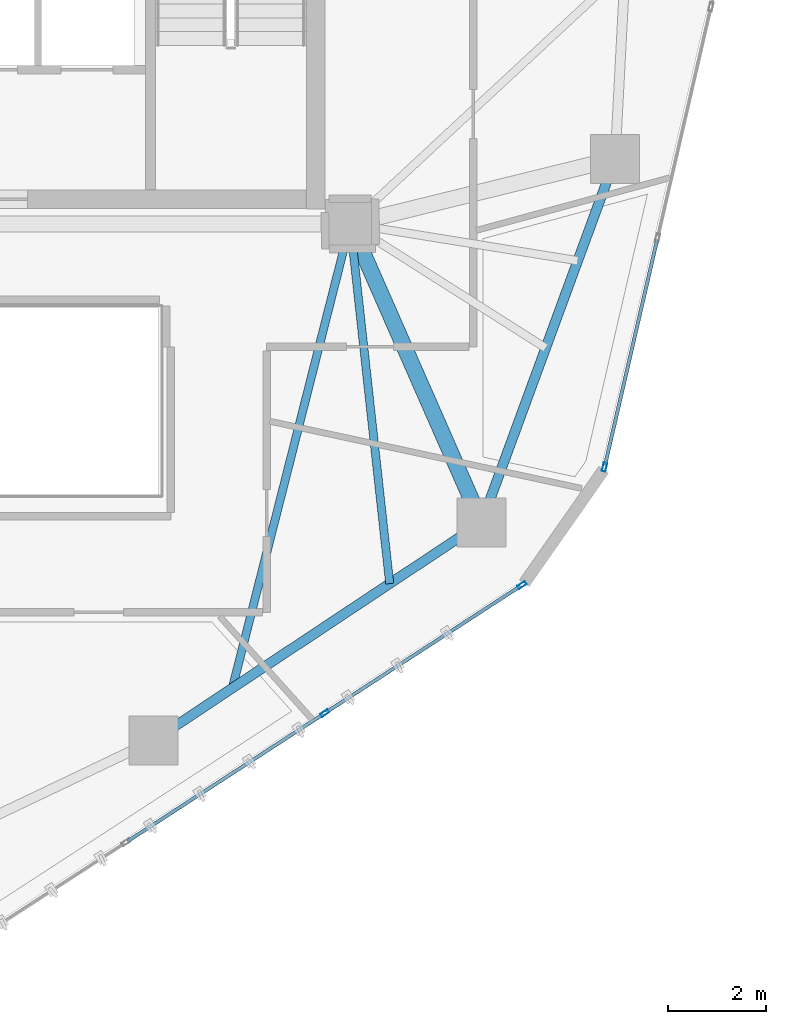
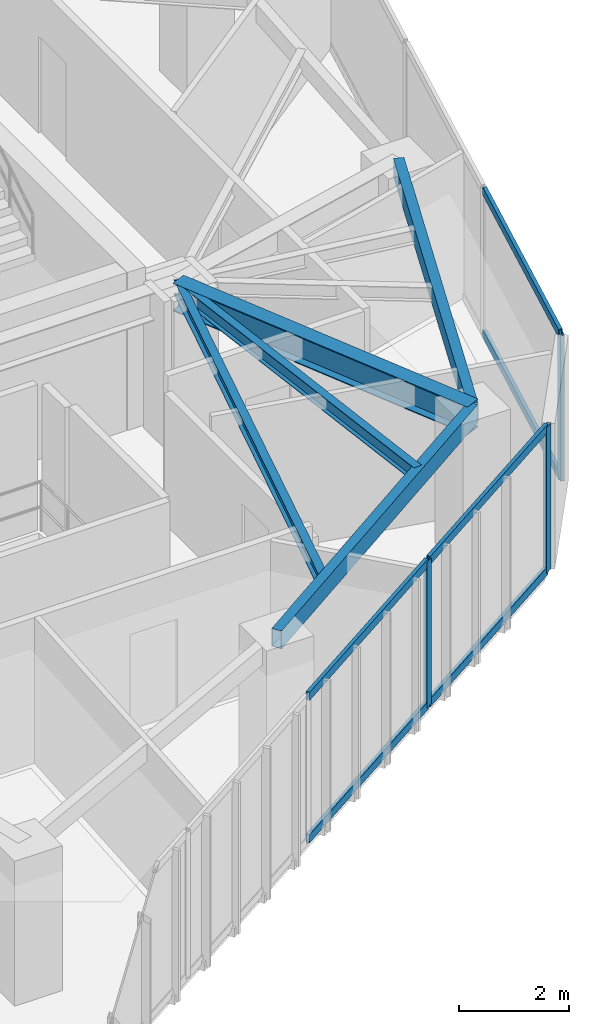
# One storey, part 5 of 18: 9 members, 5 beams, 2 elements without a shape of their own.
"""IFC4 building model written with IfcOpenShell, lengths in metres."""

from ifc_helpers import new_model, si_unit, direction, frame, origin, origin_2d, place, context, subcontext, project, spatial, hollow_rectangle, i_section, extrude, source, transform, mapped, material, layer, layer_set, material_profile, profile_set, type_object, type_shapes, element, aggregate, save


model = new_model("IFC4")

# Units and contexts
model_context = context("Model", 3, precision=1e-05, world=origin(), true_north=direction((0.0, 1.0)))
body_context = subcontext(model_context, "Body", "Model", "MODEL_VIEW")
ifc_project = project(units=[si_unit("LENGTHUNIT", "METRE"), si_unit("AREAUNIT", "SQUARE_METRE"), si_unit("VOLUMEUNIT", "CUBIC_METRE"), si_unit("PLANEANGLEUNIT", "RADIAN"), si_unit("MASSUNIT", "GRAM", prefix="KILO")], contexts=[model_context])

# Site, building, storey
site_placement = place(None, origin())
site = spatial("IfcSite", under=ifc_project, at=site_placement, CompositionType="ELEMENT")
building_placement = place(site_placement, origin())
building = spatial("IfcBuilding", under=site, at=building_placement, Name="Talar Marvaseh", CompositionType="ELEMENT")
storey_placement = place(building_placement, frame((0.0, 0.0, 188.0)))
storey = spatial("IfcBuildingStorey", under=building, at=storey_placement, Name="L49", CompositionType="ELEMENT", Elevation=188.0)

# Beams
ifc_material_1 = material(Name="Steel S355", Category="steel")
ifc_material_profile_1 = material_profile(ifc_material_1, hollow_rectangle(XDim=0.199951171875, YDim=0.39990234375, WallThickness=0.013916015625, at=origin_2d()), Name="RHS400x200x14")
ifc_profile_set_1 = profile_set([ifc_material_profile_1], Name="Steel S355")
beam_type_1 = type_object("IfcBeamType", Name="Zone 3 Perimeter Spandrel Beam RHS400x200x14", PredefinedType="SPANDREL", material=ifc_profile_set_1)
beam_1_placement = place(storey_placement, frame((38.68896484375, 26.823974609375, 3.030029296875), z_axis=(-0.344742291376, -0.938697370049, 0.0), x_axis=(0.938697370049, -0.344742291376, 0.0)))
element("IfcBeam", 1, at=beam_1_placement, inside=storey, type_object=beam_type_1, Name="L49 Zone 3 Perimeter Spandrel Beam RHS400x200x14", PredefinedType="SPANDREL", context=body_context, shape_type="SweptSolid", body=[
    extrude(hollow_rectangle(XDim=0.199951171875, YDim=0.39990234375, WallThickness=0.013916015625, at=origin_2d()), origin(), (0.0, 0.0, 1.0), 7.88427734375),
])
beam_2_placement = place(storey_placement, frame((35.970947265625, 19.423095703125, 3.030029296875), z_axis=(-0.833127464163, -0.553081032452, 0.0), x_axis=(0.553081032452, -0.833127464163, 0.0)))
element("IfcBeam", 2, at=beam_2_placement, inside=storey, type_object=beam_type_1, Name="L49 Zone 3 Perimeter Spandrel Beam RHS400x200x14", PredefinedType="SPANDREL", context=body_context, shape_type="SweptSolid", body=[
    extrude(hollow_rectangle(XDim=0.199951171875, YDim=0.39990234375, WallThickness=0.013916015625, at=origin_2d()), origin(), (0.0, 0.0, 1.0), 8.00830078125),
])
ifc_material_profile_2 = material_profile(ifc_material_1, i_section(OverallWidth=0.324951171875, OverallDepth=0.615966796875, WebThickness=0.013916015625, FlangeThickness=0.021484375, at=origin_2d()), Name="W610x174")
ifc_profile_set_2 = profile_set([ifc_material_profile_2], Name="Steel S355")
beam_type_2 = type_object("IfcBeamType", Name="Zone 3 Radial Floor Girder W610x174", PredefinedType="BEAM", material=ifc_profile_set_2)
beam_3_placement = place(storey_placement, frame((35.970947265625, 19.423095703125, 2.922119140625), z_axis=(-0.402367581672, 0.91547819702, 0.0), x_axis=(-0.91547819702, -0.402367581672, 0.0)))
element("IfcBeam", 3, at=beam_3_placement, inside=storey, type_object=beam_type_2, Name="L49 Zone 3 Radial Floor Girder W610x174", PredefinedType="BEAM", context=body_context, shape_type="SweptSolid", body=[
    extrude(i_section(OverallWidth=0.324951171875, OverallDepth=0.615966796875, WebThickness=0.013916015625, FlangeThickness=0.021484375, at=origin_2d()), origin(), (0.0, 0.0, 1.0), 6.637939453125),
])
ifc_material_profile_3 = material_profile(ifc_material_1, i_section(OverallWidth=0.166015625, OverallDepth=0.31298828125, WebThickness=0.006591796875, FlangeThickness=0.01123046875, at=origin_2d()), Name="W310x45")
ifc_profile_set_3 = profile_set([ifc_material_profile_3], Name="Steel S355")
beam_type_3 = type_object("IfcBeamType", Name="Zone 3 Secondary Floor Joist W310x45", PredefinedType="JOIST", material=ifc_profile_set_3)
beam_4_placement = place(storey_placement, frame((34.102783203125, 18.182861328125, 3.073486328125), z_axis=(-0.109051770147, 0.994036071492, 0.0), x_axis=(-0.994036071492, -0.109051770147, 0.0)))
element("IfcBeam", 4, at=beam_4_placement, inside=storey, type_object=beam_type_3, Name="L49 Zone 3 Secondary Floor Joist W310x45", PredefinedType="JOIST", context=body_context, shape_type="SweptSolid", body=[
    extrude(i_section(OverallWidth=0.166015625, OverallDepth=0.31298828125, WebThickness=0.006591796875, FlangeThickness=0.01123046875, at=origin_2d()), origin(), (0.0, 0.0, 1.0), 7.361083984375),
])
beam_5_placement = place(storey_placement, frame((30.900390625, 16.056884765625, 3.073486328125), z_axis=(0.246289474123, 0.96919631393, 0.0), x_axis=(-0.96919631393, 0.246289474123, 0.0)))
element("IfcBeam", 5, at=beam_5_placement, inside=storey, type_object=beam_type_3, Name="L49 Zone 3 Secondary Floor Joist W310x45", PredefinedType="JOIST", context=body_context, shape_type="SweptSolid", body=[
    extrude(i_section(OverallWidth=0.166015625, OverallDepth=0.31298828125, WebThickness=0.006591796875, FlangeThickness=0.01123046875, at=origin_2d()), origin(), (0.0, 0.0, 1.0), 9.7431640625),
])

# Curtain wall, member
ifc_material_2 = material(Name="Architectural Aluminium", Category="aluminium")
ifc_layer = layer(ifc_material_2, 0.18994140625)
ifc_layer_set = layer_set([ifc_layer], Name="Architectural Aluminium")
curtain_wall_type = type_object("IfcCurtainWallType", Name="Unitised Solar Atelier Curtain Wall Z3", PredefinedType="NOTDEFINED", material=ifc_layer_set)
curtain_wall_1_placement = place(storey_placement, origin())
curtain_wall_1 = element("IfcCurtainWall", 6, at=curtain_wall_1_placement, inside=storey, type_object=curtain_wall_type, Name="L49 Unitised Solar Atelier Curtain Wall Z3", PredefinedType="NOTDEFINED")
ifc_material_profile_4 = material_profile(ifc_material_2, hollow_rectangle(XDim=0.074951171875, YDim=0.179931640625, WallThickness=0.0048828125, at=origin_2d()), Name="RHS180x75x5")
ifc_profile_set_4 = profile_set([ifc_material_profile_4], Name="Architectural Aluminium")
member_type_1 = type_object("IfcMemberType", Name="Unitised Curtain Wall Standard Mullion RHS180x75x5", PredefinedType="MULLION", material=ifc_profile_set_4)
shared_shape_1 = source(origin(), body_context, "Body", "SweptSolid", [
    extrude(hollow_rectangle(XDim=0.074951171875, YDim=0.179931640625, WallThickness=0.0048828125, at=origin_2d()), origin(), (0.0, 0.0, 1.0), 3.22998046875),
])
type_shapes(member_type_1, [shared_shape_1])
member_1_placement = place(storey_placement, frame((38.473876953125, 20.553955078125, 0.0), z_axis=(0.0, 0.0, 1.0), x_axis=(0.974335154995, -0.225102211765, 0.0)))
member_1 = element("IfcMember", 7, at=member_1_placement, type_object=member_type_1, Name="CW-Z3 mullion 5", PredefinedType="MULLION", context=body_context, shape_type="MappedRepresentation", body=[
    mapped(shared_shape_1, transform((0.0, 0.0, 0.0), x_axis=(1.0, 0.0, 0.0), y_axis=(0.0, 1.0, 0.0), z_axis=(0.0, 0.0, 1.0), scale=1.0)),
])

# Curtain wall, members
curtain_wall_2_placement = place(storey_placement, origin())
curtain_wall_2 = element("IfcCurtainWall", 8, at=curtain_wall_2_placement, inside=storey, type_object=curtain_wall_type, Name="L49 Unitised Solar Atelier Curtain Wall Z3", PredefinedType="NOTDEFINED")
member_2_placement = place(storey_placement, frame((36.79345703125, 18.154052734375, 0.0), z_axis=(0.0, 0.0, 1.0), x_axis=(0.544771292146, -0.838584664332, 0.0)))
member_2 = element("IfcMember", 9, at=member_2_placement, type_object=member_type_1, Name="CW-Z3 mullion 1", PredefinedType="MULLION", context=body_context, shape_type="MappedRepresentation", body=[
    mapped(shared_shape_1, transform((0.0, 0.0, 0.0), x_axis=(1.0, 0.0, 0.0), y_axis=(0.0, 1.0, 0.0), z_axis=(0.0, 0.0, 1.0), scale=1.0)),
])
member_3_placement = place(storey_placement, frame((32.781005859375, 15.547607421875, 0.0), z_axis=(0.0, 0.0, 1.0), x_axis=(0.544771292146, -0.838584664332, 0.0)))
member_3 = element("IfcMember", 10, at=member_3_placement, type_object=member_type_1, Name="CW-Z3 mullion 2", PredefinedType="MULLION", context=body_context, shape_type="MappedRepresentation", body=[
    mapped(shared_shape_1, transform((0.0, 0.0, 0.0), x_axis=(1.0, 0.0, 0.0), y_axis=(0.0, 1.0, 0.0), z_axis=(0.0, 0.0, 1.0), scale=1.0)),
])

# Member
ifc_material_profile_5 = material_profile(ifc_material_2, hollow_rectangle(XDim=0.074951171875, YDim=0.179931640625, WallThickness=0.0048828125, at=origin_2d()), Name="RHS180x75x5")
ifc_profile_set_5 = profile_set([ifc_material_profile_5], Name="Architectural Aluminium")
member_type_2 = type_object("IfcMemberType", Name="Unitised Curtain Wall Transom RHS180x75x5", PredefinedType="USERDEFINED", material=ifc_profile_set_5)
shared_shape_2 = source(origin(), body_context, "Body", "SweptSolid", [
    extrude(hollow_rectangle(XDim=0.074951171875, YDim=0.179931640625, WallThickness=0.0048828125, at=origin_2d()), origin(), (0.0, 0.0, 1.0), 4.70947265625),
])
member_4_placement = place(storey_placement, frame((39.54248046875, 25.17919921875, 0.03759765625), z_axis=(-0.225139664581, -0.974326501452, 0.0), x_axis=(0.974326501452, -0.225139664581, 0.0)))
member_4 = element("IfcMember", 11, at=member_4_placement, type_object=member_type_2, Name="CW-Z3 transom 4.1", ObjectType="TRANSOM", PredefinedType="USERDEFINED", context=body_context, shape_type="MappedRepresentation", body=[
    mapped(shared_shape_2, transform((0.0, 0.0, 0.0), x_axis=(1.0, 0.0, 0.0), y_axis=(0.0, 1.0, 0.0), z_axis=(0.0, 0.0, 1.0), scale=1.0)),
])

member_5_placement = place(storey_placement, frame((39.54248046875, 25.17919921875, 3.1923828125), z_axis=(-0.225139664581, -0.974326501452, 0.0), x_axis=(0.974326501452, -0.225139664581, 0.0)))
member_5 = element("IfcMember", 12, at=member_5_placement, type_object=member_type_2, Name="CW-Z3 transom 4.2", ObjectType="TRANSOM", PredefinedType="USERDEFINED", context=body_context, shape_type="MappedRepresentation", body=[
    mapped(shared_shape_2, transform((0.0, 0.0, 0.0), x_axis=(1.0, 0.0, 0.0), y_axis=(0.0, 1.0, 0.0), z_axis=(0.0, 0.0, 1.0), scale=1.0)),
])

aggregate(curtain_wall_1, [member_1, member_4, member_5])

shared_shape_3 = source(origin(), body_context, "Body", "SweptSolid", [
    extrude(hollow_rectangle(XDim=0.074951171875, YDim=0.179931640625, WallThickness=0.0048828125, at=origin_2d()), origin(), (0.0, 0.0, 1.0), 4.709716796875),
])
member_6_placement = place(storey_placement, frame((36.761962890625, 18.1337890625, 0.03759765625), z_axis=(-0.838586894029, -0.544767859884, 0.0), x_axis=(0.544767859884, -0.838586894029, 0.0)))
member_6 = element("IfcMember", 13, at=member_6_placement, type_object=member_type_2, Name="CW-Z3 transom 1.1", ObjectType="TRANSOM", PredefinedType="USERDEFINED", context=body_context, shape_type="MappedRepresentation", body=[
    mapped(shared_shape_3, transform((0.0, 0.0, 0.0), x_axis=(1.0, 0.0, 0.0), y_axis=(0.0, 1.0, 0.0), z_axis=(0.0, 0.0, 1.0), scale=1.0)),
])

member_7_placement = place(storey_placement, frame((36.761962890625, 18.1337890625, 3.1923828125), z_axis=(-0.838586894029, -0.544767859884, 0.0), x_axis=(0.544767859884, -0.838586894029, 0.0)))
member_7 = element("IfcMember", 14, at=member_7_placement, type_object=member_type_2, Name="CW-Z3 transom 1.2", ObjectType="TRANSOM", PredefinedType="USERDEFINED", context=body_context, shape_type="MappedRepresentation", body=[
    mapped(shared_shape_3, transform((0.0, 0.0, 0.0), x_axis=(1.0, 0.0, 0.0), y_axis=(0.0, 1.0, 0.0), z_axis=(0.0, 0.0, 1.0), scale=1.0)),
])

shared_shape_4 = source(origin(), body_context, "Body", "SweptSolid", [
    extrude(hollow_rectangle(XDim=0.074951171875, YDim=0.179931640625, WallThickness=0.0048828125, at=origin_2d()), origin(), (0.0, 0.0, 1.0), 4.747314453125),
])
type_shapes(member_type_2, [shared_shape_2, shared_shape_3, shared_shape_4])
member_8_placement = place(storey_placement, frame((32.749755859375, 15.52734375, 0.03759765625), z_axis=(-0.838582236435, -0.544775029471, 0.0), x_axis=(0.544775029471, -0.838582236435, 0.0)))
member_8 = element("IfcMember", 15, at=member_8_placement, type_object=member_type_2, Name="CW-Z3 transom 2.1", ObjectType="TRANSOM", PredefinedType="USERDEFINED", context=body_context, shape_type="MappedRepresentation", body=[
    mapped(shared_shape_4, transform((0.0, 0.0, 0.0), x_axis=(1.0, 0.0, 0.0), y_axis=(0.0, 1.0, 0.0), z_axis=(0.0, 0.0, 1.0), scale=1.0)),
])

member_9_placement = place(storey_placement, frame((32.749755859375, 15.52734375, 3.1923828125), z_axis=(-0.838582236435, -0.544775029471, 0.0), x_axis=(0.544775029471, -0.838582236435, 0.0)))
member_9 = element("IfcMember", 16, at=member_9_placement, type_object=member_type_2, Name="CW-Z3 transom 2.2", ObjectType="TRANSOM", PredefinedType="USERDEFINED", context=body_context, shape_type="MappedRepresentation", body=[
    mapped(shared_shape_4, transform((0.0, 0.0, 0.0), x_axis=(1.0, 0.0, 0.0), y_axis=(0.0, 1.0, 0.0), z_axis=(0.0, 0.0, 1.0), scale=1.0)),
])

aggregate(curtain_wall_2, [member_2, member_3, member_6, member_7, member_8, member_9])

save(model, "model.ifc")
